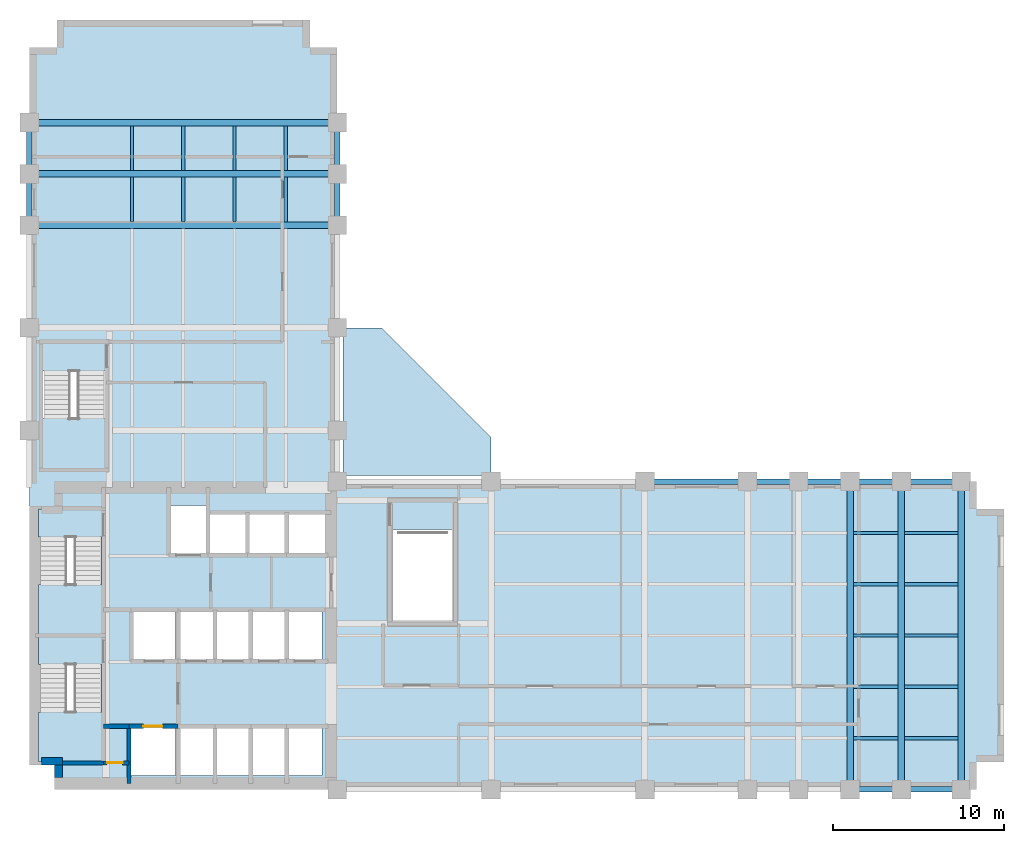
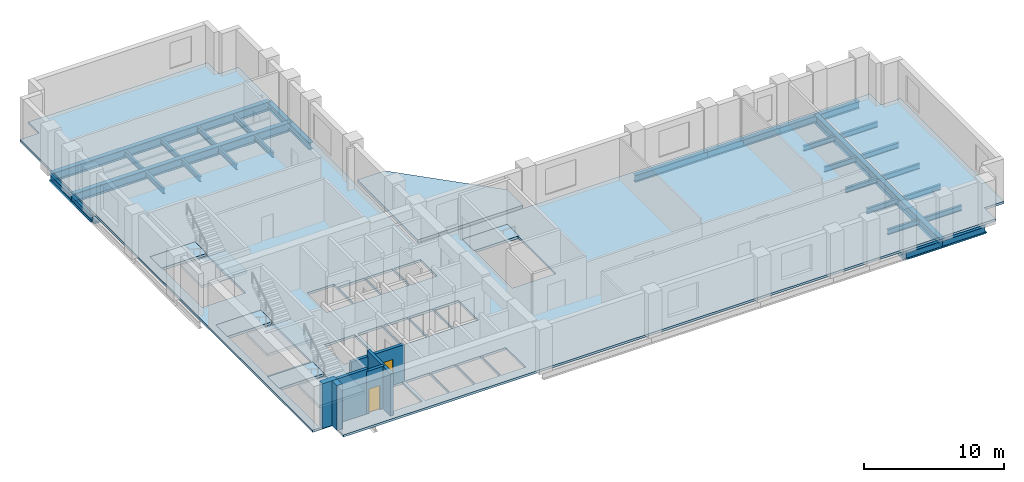
# One storey, part 2 of 7: 35 beams, 9 slabs, 7 walls, 2 doors, 2 openings, 3 elements without a shape of their own.
"""IFC4 building model written with IfcOpenShell, lengths in metres."""

from ifc_helpers import new_model, si_unit, direction, frame, frame_2d, origin, origin_2d, place, context, subcontext, project, spatial, polyline, rectangle, i_section, outline, extrude, material, layer, layer_set, material_profile, profile_set, type_object, element, fill, aggregate, save


model = new_model("IFC4")

# Units and contexts
model_context = context("Model", 3, precision=1e-05, world=origin(), true_north=direction((0.0, 1.0)))
body_context = subcontext(model_context, "Body", "Model", "MODEL_VIEW")
ifc_project = project(units=[si_unit("LENGTHUNIT", "METRE"), si_unit("AREAUNIT", "SQUARE_METRE"), si_unit("VOLUMEUNIT", "CUBIC_METRE"), si_unit("PLANEANGLEUNIT", "RADIAN"), si_unit("MASSUNIT", "GRAM", prefix="KILO")], contexts=[model_context])

# Site, building, storey
site_placement = place(None, origin())
site = spatial("IfcSite", under=ifc_project, at=site_placement, CompositionType="ELEMENT")
building_placement = place(site_placement, origin())
building = spatial("IfcBuilding", under=site, at=building_placement, Name="Mawjdan Bourse Tower", CompositionType="ELEMENT")
storey_placement = place(building_placement, frame((0.0, 0.0, 93.300048828125)))
storey = spatial("IfcBuildingStorey", under=building, at=storey_placement, Name="L21", CompositionType="ELEMENT", Elevation=93.300048828125)

# Beams
ifc_material_1 = material(Name="Structural Steel S355", Category="steel")
ifc_material_profile_1 = material_profile(ifc_material_1, i_section(OverallWidth=0.381103515625, OverallDepth=0.77294921875, WebThickness=0.0166015625, FlangeThickness=0.027099609375, FilletRadius=0.021728515625, at=origin_2d()), Name="W30X173")
ifc_profile_set_1 = profile_set([ifc_material_profile_1], Name="Structural Steel S355")
beam_type_1 = type_object("IfcBeamType", Name="GRD-W30X173", PredefinedType="BEAM", material=ifc_profile_set_1)
for number, where, z_axis, x_axis, name in (
    (1, (54.0, 3.0, -0.586669921875), (0.0, 1.0, 0.0), (-1.0, 0.0, 0.0), "L21 East Wing Clear-Span Girder 006"),
    (2, (57.0, 3.0, -0.586669921875), (0.0, 1.0, 0.0), (-1.0, 0.0, 0.0), "L21 East Wing Clear-Span Girder 007"),
    (3, (60.5, 3.0, -0.586669921875), (0.0, 1.0, 0.0), (-1.0, 0.0, 0.0), "L21 East Wing Clear-Span Girder 008"),
    (4, (6.0, 36.0, -0.586669921875), (1.0, 0.0, 0.0), (0.0, 1.0, 0.0), "L21 North Wing Clear-Span Girder 067"),
    (5, (6.0, 39.0, -0.586669921875), (1.0, 0.0, 0.0), (0.0, 1.0, 0.0), "L21 North Wing Clear-Span Girder 068"),
    (6, (6.0, 42.0, -0.586669921875), (1.0, 0.0, 0.0), (0.0, 1.0, 0.0), "L21 North Wing Clear-Span Girder 069"),
):
    element("IfcBeam", number, at=place(storey_placement, frame(where, z_axis=z_axis, x_axis=x_axis)), inside=storey, type_object=beam_type_1, Name=name, PredefinedType="BEAM", context=body_context, shape_type="SweptSolid", body=[
        extrude(i_section(OverallWidth=0.381103515625, OverallDepth=0.77294921875, WebThickness=0.0166015625, FlangeThickness=0.027099609375, FilletRadius=0.021728515625, at=origin_2d()), origin(), (0.0, 0.0, 1.0), 18.0),
    ])
ifc_material_profile_2 = material_profile(ifc_material_1, i_section(OverallWidth=0.19189453125, OverallDepth=0.462890625, WebThickness=0.010498046875, FlangeThickness=0.017578125, FilletRadius=0.01416015625, at=origin_2d()), Name="W18X60")
ifc_profile_set_2 = profile_set([ifc_material_profile_2], Name="Structural Steel S355")
beam_type_2 = type_object("IfcBeamType", Name="JST-W18X60", PredefinedType="JOIST", material=ifc_profile_set_2)
beam_1_placement = place(storey_placement, frame((54.1884765625, 6.0, -0.431640625), z_axis=(1.0, 0.0, 0.0), x_axis=(0.0, 1.0, 0.0)))
element("IfcBeam", 7, at=beam_1_placement, inside=storey, type_object=beam_type_2, Name="L21 East Wing Composite Joist 028", PredefinedType="JOIST", context=body_context, shape_type="SweptSolid", body=[
    extrude(i_section(OverallWidth=0.19189453125, OverallDepth=0.462890625, WebThickness=0.010498046875, FlangeThickness=0.017578125, FilletRadius=0.01416015625, at=origin_2d()), origin(), (0.0, 0.0, 1.0), 2.623046875),
])
beam_2_placement = place(storey_placement, frame((57.1884765625, 6.0, -0.431640625), z_axis=(1.0, 0.0, 0.0), x_axis=(0.0, 1.0, 0.0)))
element("IfcBeam", 8, at=beam_2_placement, inside=storey, type_object=beam_type_2, Name="L21 East Wing Composite Joist 029", PredefinedType="JOIST", context=body_context, shape_type="SweptSolid", body=[
    extrude(i_section(OverallWidth=0.19189453125, OverallDepth=0.462890625, WebThickness=0.010498046875, FlangeThickness=0.017578125, FilletRadius=0.01416015625, at=origin_2d()), origin(), (0.0, 0.0, 1.0), 3.123046875),
])
beam_3_placement = place(storey_placement, frame((54.1884765625, 9.0, -0.431640625), z_axis=(1.0, 0.0, 0.0), x_axis=(0.0, 1.0, 0.0)))
element("IfcBeam", 9, at=beam_3_placement, inside=storey, type_object=beam_type_2, Name="L21 East Wing Composite Joist 035", PredefinedType="JOIST", context=body_context, shape_type="SweptSolid", body=[
    extrude(i_section(OverallWidth=0.19189453125, OverallDepth=0.462890625, WebThickness=0.010498046875, FlangeThickness=0.017578125, FilletRadius=0.01416015625, at=origin_2d()), origin(), (0.0, 0.0, 1.0), 2.623046875),
])
beam_4_placement = place(storey_placement, frame((57.1884765625, 9.0, -0.431640625), z_axis=(1.0, 0.0, 0.0), x_axis=(0.0, 1.0, 0.0)))
element("IfcBeam", 10, at=beam_4_placement, inside=storey, type_object=beam_type_2, Name="L21 East Wing Composite Joist 036", PredefinedType="JOIST", context=body_context, shape_type="SweptSolid", body=[
    extrude(i_section(OverallWidth=0.19189453125, OverallDepth=0.462890625, WebThickness=0.010498046875, FlangeThickness=0.017578125, FilletRadius=0.01416015625, at=origin_2d()), origin(), (0.0, 0.0, 1.0), 3.123046875),
])
beam_5_placement = place(storey_placement, frame((54.1884765625, 12.0, -0.431640625), z_axis=(1.0, 0.0, 0.0), x_axis=(0.0, 1.0, 0.0)))
element("IfcBeam", 11, at=beam_5_placement, inside=storey, type_object=beam_type_2, Name="L21 East Wing Composite Joist 042", PredefinedType="JOIST", context=body_context, shape_type="SweptSolid", body=[
    extrude(i_section(OverallWidth=0.19189453125, OverallDepth=0.462890625, WebThickness=0.010498046875, FlangeThickness=0.017578125, FilletRadius=0.01416015625, at=origin_2d()), origin(), (0.0, 0.0, 1.0), 2.623046875),
])
beam_6_placement = place(storey_placement, frame((57.1884765625, 12.0, -0.431640625), z_axis=(1.0, 0.0, 0.0), x_axis=(0.0, 1.0, 0.0)))
element("IfcBeam", 12, at=beam_6_placement, inside=storey, type_object=beam_type_2, Name="L21 East Wing Composite Joist 043", PredefinedType="JOIST", context=body_context, shape_type="SweptSolid", body=[
    extrude(i_section(OverallWidth=0.19189453125, OverallDepth=0.462890625, WebThickness=0.010498046875, FlangeThickness=0.017578125, FilletRadius=0.01416015625, at=origin_2d()), origin(), (0.0, 0.0, 1.0), 3.123046875),
])
beam_7_placement = place(storey_placement, frame((54.1884765625, 15.0, -0.431640625), z_axis=(1.0, 0.0, 0.0), x_axis=(0.0, 1.0, 0.0)))
element("IfcBeam", 13, at=beam_7_placement, inside=storey, type_object=beam_type_2, Name="L21 East Wing Composite Joist 048", PredefinedType="JOIST", context=body_context, shape_type="SweptSolid", body=[
    extrude(i_section(OverallWidth=0.19189453125, OverallDepth=0.462890625, WebThickness=0.010498046875, FlangeThickness=0.017578125, FilletRadius=0.01416015625, at=origin_2d()), origin(), (0.0, 0.0, 1.0), 2.623046875),
])
beam_8_placement = place(storey_placement, frame((57.1884765625, 15.0, -0.431640625), z_axis=(1.0, 0.0, 0.0), x_axis=(0.0, 1.0, 0.0)))
element("IfcBeam", 14, at=beam_8_placement, inside=storey, type_object=beam_type_2, Name="L21 East Wing Composite Joist 049", PredefinedType="JOIST", context=body_context, shape_type="SweptSolid", body=[
    extrude(i_section(OverallWidth=0.19189453125, OverallDepth=0.462890625, WebThickness=0.010498046875, FlangeThickness=0.017578125, FilletRadius=0.01416015625, at=origin_2d()), origin(), (0.0, 0.0, 1.0), 3.123046875),
])
beam_9_placement = place(storey_placement, frame((54.1884765625, 18.0, -0.431640625), z_axis=(1.0, 0.0, 0.0), x_axis=(0.0, 1.0, 0.0)))
element("IfcBeam", 15, at=beam_9_placement, inside=storey, type_object=beam_type_2, Name="L21 East Wing Composite Joist 054", PredefinedType="JOIST", context=body_context, shape_type="SweptSolid", body=[
    extrude(i_section(OverallWidth=0.19189453125, OverallDepth=0.462890625, WebThickness=0.010498046875, FlangeThickness=0.017578125, FilletRadius=0.01416015625, at=origin_2d()), origin(), (0.0, 0.0, 1.0), 2.623046875),
])
beam_10_placement = place(storey_placement, frame((57.1884765625, 18.0, -0.431640625), z_axis=(1.0, 0.0, 0.0), x_axis=(0.0, 1.0, 0.0)))
element("IfcBeam", 16, at=beam_10_placement, inside=storey, type_object=beam_type_2, Name="L21 East Wing Composite Joist 055", PredefinedType="JOIST", context=body_context, shape_type="SweptSolid", body=[
    extrude(i_section(OverallWidth=0.19189453125, OverallDepth=0.462890625, WebThickness=0.010498046875, FlangeThickness=0.017578125, FilletRadius=0.01416015625, at=origin_2d()), origin(), (0.0, 0.0, 1.0), 3.123046875),
])
for number, where, z_axis, x_axis, name in (
    (17, (12.0, 36.1884765625, -0.431640625), (0.0, 1.0, 0.0), (-1.0, 0.0, 0.0), "L21 North Wing Composite Joist 083"),
    (18, (12.0, 39.1884765625, -0.431640625), (0.0, 1.0, 0.0), (-1.0, 0.0, 0.0), "L21 North Wing Composite Joist 084"),
    (19, (15.0, 36.1884765625, -0.431640625), (0.0, 1.0, 0.0), (-1.0, 0.0, 0.0), "L21 North Wing Composite Joist 088"),
    (20, (15.0, 39.1884765625, -0.431640625), (0.0, 1.0, 0.0), (-1.0, 0.0, 0.0), "L21 North Wing Composite Joist 089"),
    (21, (18.0, 36.1884765625, -0.431640625), (0.0, 1.0, 0.0), (-1.0, 0.0, 0.0), "L21 North Wing Composite Joist 093"),
    (22, (18.0, 39.1884765625, -0.431640625), (0.0, 1.0, 0.0), (-1.0, 0.0, 0.0), "L21 North Wing Composite Joist 094"),
    (23, (21.0, 36.1884765625, -0.431640625), (0.0, 1.0, 0.0), (-1.0, 0.0, 0.0), "L21 North Wing Composite Joist 098"),
    (24, (21.0, 39.1884765625, -0.431640625), (0.0, 1.0, 0.0), (-1.0, 0.0, 0.0), "L21 North Wing Composite Joist 099"),
):
    element("IfcBeam", number, at=place(storey_placement, frame(where, z_axis=z_axis, x_axis=x_axis)), inside=storey, type_object=beam_type_2, Name=name, PredefinedType="JOIST", context=body_context, shape_type="SweptSolid", body=[
        extrude(i_section(OverallWidth=0.19189453125, OverallDepth=0.462890625, WebThickness=0.010498046875, FlangeThickness=0.017578125, FilletRadius=0.01416015625, at=origin_2d()), origin(), (0.0, 0.0, 1.0), 2.623046875),
    ])
ifc_material_profile_3 = material_profile(ifc_material_1, i_section(OverallWidth=0.324951171875, OverallDepth=0.616943359375, WebThickness=0.013916015625, FlangeThickness=0.021484375, FilletRadius=0.017333984375, at=origin_2d()), Name="W24X117")
ifc_profile_set_3 = profile_set([ifc_material_profile_3], Name="Structural Steel S355")
beam_type_3 = type_object("IfcBeamType", Name="SPN-W24X117", PredefinedType="SPANDREL", material=ifc_profile_set_3)
beam_11_placement = place(storey_placement, frame((54.0, 3.0, -0.568603515625), z_axis=(1.0, 0.0, 0.0), x_axis=(0.0, 1.0, 0.0)))
element("IfcBeam", 25, at=beam_11_placement, inside=storey, type_object=beam_type_3, Name="L21 Perimeter Masonry-Shelf Spandrel 014", PredefinedType="SPANDREL", context=body_context, shape_type="SweptSolid", body=[
    extrude(i_section(OverallWidth=0.324951171875, OverallDepth=0.616943359375, WebThickness=0.013916015625, FlangeThickness=0.021484375, FilletRadius=0.017333984375, at=origin_2d()), origin(), (0.0, 0.0, 1.0), 3.0),
])
beam_12_placement = place(storey_placement, frame((57.0, 3.0, -0.568603515625), z_axis=(1.0, 0.0, 0.0), x_axis=(0.0, 1.0, 0.0)))
element("IfcBeam", 26, at=beam_12_placement, inside=storey, type_object=beam_type_3, Name="L21 Perimeter Masonry-Shelf Spandrel 015", PredefinedType="SPANDREL", context=body_context, shape_type="SweptSolid", body=[
    extrude(i_section(OverallWidth=0.324951171875, OverallDepth=0.616943359375, WebThickness=0.013916015625, FlangeThickness=0.021484375, FilletRadius=0.017333984375, at=origin_2d()), origin(), (0.0, 0.0, 1.0), 3.5),
])
beam_13_placement = place(storey_placement, frame((42.0, 21.0, -0.568603515625), z_axis=(1.0, 0.0, 0.0), x_axis=(0.0, 1.0, 0.0)))
element("IfcBeam", 27, at=beam_13_placement, inside=storey, type_object=beam_type_3, Name="L21 Perimeter Masonry-Shelf Spandrel 018", PredefinedType="SPANDREL", context=body_context, shape_type="SweptSolid", body=[
    extrude(i_section(OverallWidth=0.324951171875, OverallDepth=0.616943359375, WebThickness=0.013916015625, FlangeThickness=0.021484375, FilletRadius=0.017333984375, at=origin_2d()), origin(), (0.0, 0.0, 1.0), 6.0),
])
for number, where, z_axis, x_axis, name in (
    (28, (48.0, 21.0, -0.568603515625), (1.0, 0.0, 0.0), (0.0, 1.0, 0.0), "L21 Perimeter Masonry-Shelf Spandrel 019"),
    (29, (51.0, 21.0, -0.568603515625), (1.0, 0.0, 0.0), (0.0, 1.0, 0.0), "L21 Perimeter Masonry-Shelf Spandrel 020"),
    (30, (54.0, 21.0, -0.568603515625), (1.0, 0.0, 0.0), (0.0, 1.0, 0.0), "L21 Perimeter Masonry-Shelf Spandrel 021"),
):
    element("IfcBeam", number, at=place(storey_placement, frame(where, z_axis=z_axis, x_axis=x_axis)), inside=storey, type_object=beam_type_3, Name=name, PredefinedType="SPANDREL", context=body_context, shape_type="SweptSolid", body=[
        extrude(i_section(OverallWidth=0.324951171875, OverallDepth=0.616943359375, WebThickness=0.013916015625, FlangeThickness=0.021484375, FilletRadius=0.017333984375, at=origin_2d()), origin(), (0.0, 0.0, 1.0), 3.0),
    ])
beam_14_placement = place(storey_placement, frame((57.0, 21.0, -0.568603515625), z_axis=(1.0, 0.0, 0.0), x_axis=(0.0, 1.0, 0.0)))
element("IfcBeam", 31, at=beam_14_placement, inside=storey, type_object=beam_type_3, Name="L21 Perimeter Masonry-Shelf Spandrel 022", PredefinedType="SPANDREL", context=body_context, shape_type="SweptSolid", body=[
    extrude(i_section(OverallWidth=0.324951171875, OverallDepth=0.616943359375, WebThickness=0.013916015625, FlangeThickness=0.021484375, FilletRadius=0.017333984375, at=origin_2d()), origin(), (0.0, 0.0, 1.0), 3.5),
])
for number, where, z_axis, x_axis, name in (
    (32, (6.0, 36.0, -0.568603515625), (0.0, 1.0, 0.0), (-1.0, 0.0, 0.0), "L21 North Wing Spandrel 073"),
    (33, (6.0, 39.0, -0.568603515625), (0.0, 1.0, 0.0), (-1.0, 0.0, 0.0), "L21 North Wing Spandrel 074"),
    (34, (24.0, 36.0, -0.568603515625), (0.0, 1.0, 0.0), (-1.0, 0.0, 0.0), "L21 North Wing Spandrel 078"),
    (35, (24.0, 39.0, -0.568603515625), (0.0, 1.0, 0.0), (-1.0, 0.0, 0.0), "L21 North Wing Spandrel 079"),
):
    element("IfcBeam", number, at=place(storey_placement, frame(where, z_axis=z_axis, x_axis=x_axis)), inside=storey, type_object=beam_type_3, Name=name, PredefinedType="SPANDREL", context=body_context, shape_type="SweptSolid", body=[
        extrude(i_section(OverallWidth=0.324951171875, OverallDepth=0.616943359375, WebThickness=0.013916015625, FlangeThickness=0.021484375, FilletRadius=0.017333984375, at=origin_2d()), origin(), (0.0, 0.0, 1.0), 3.0),
    ])

# Stair, slabs
ifc_material_2 = material(Name="Concrete C50/60", Category="concrete")
stair_type = type_object("IfcStairType", Name="STR-CORE-1500", PredefinedType="HALF_TURN_STAIR", material=ifc_material_2)
stair_1_placement = place(storey_placement, origin())
stair_1 = element("IfcStair", 36, at=stair_1_placement, inside=storey, type_object=stair_type, Name="L21 Exit Stair 1 (Core South-West)", PredefinedType="HALF_TURN_STAIR")
ifc_layer_1 = layer(ifc_material_2, 0.22998046875)
ifc_layer_set_1 = layer_set([ifc_layer_1], Name="Concrete C50/60")
slab_type_1 = type_object("IfcSlabType", Name="SL-LND-230", PredefinedType="LANDING", material=ifc_layer_set_1)
slab_1_placement = place(storey_placement, frame((0.0, 0.0, -0.22998046875)))
slab_1 = element("IfcSlab", 37, at=slab_1_placement, type_object=slab_type_1, Name="ST1-L21 landing 1", PredefinedType="LANDING", context=body_context, shape_type="SweptSolid", body=[
    extrude(outline(polyline([(6.5400390625, 10.31005859375), (10.260009765625, 10.31005859375), (10.260009765625, 11.969970703125), (6.5400390625, 11.969970703125), (6.5400390625, 10.31005859375)])), origin(), (0.0, 0.0, 1.0), 0.22998046875),
])
slab_2_placement = place(storey_placement, frame((0.0, 0.0, 1.719970703125)))
slab_2 = element("IfcSlab", 38, at=slab_2_placement, type_object=slab_type_1, Name="ST1-L21 landing 2", PredefinedType="LANDING", context=body_context, shape_type="SweptSolid", body=[
    extrude(outline(polyline([(6.5400390625, 4.590087890625), (10.260009765625, 4.590087890625), (10.260009765625, 7.5400390625), (6.5400390625, 7.5400390625), (6.5400390625, 4.590087890625)])), origin(), (0.0, 0.0, 1.0), 0.22998046875),
])
aggregate(stair_1, [slab_1, slab_2])

stair_2_placement = place(storey_placement, origin())
stair_2 = element("IfcStair", 39, at=stair_2_placement, inside=storey, type_object=stair_type, Name="L21 Exit Stair 2 (Core North-West)", PredefinedType="HALF_TURN_STAIR")
slab_3_placement = place(storey_placement, frame((0.0, 0.0, -0.22998046875)))
slab_3 = element("IfcSlab", 40, at=slab_3_placement, type_object=slab_type_1, Name="ST2-L21 landing 1", PredefinedType="LANDING", context=body_context, shape_type="SweptSolid", body=[
    extrude(outline(polyline([(6.5400390625, 17.75), (10.260009765625, 17.75), (10.260009765625, 19.409912109375), (6.5400390625, 19.409912109375), (6.5400390625, 17.75)])), origin(), (0.0, 0.0, 1.0), 0.22998046875),
])
slab_4_placement = place(storey_placement, frame((0.0, 0.0, 1.719970703125)))
slab_4 = element("IfcSlab", 41, at=slab_4_placement, type_object=slab_type_1, Name="ST2-L21 landing 2", PredefinedType="LANDING", context=body_context, shape_type="SweptSolid", body=[
    extrude(outline(polyline([(6.5400390625, 12.030029296875), (10.260009765625, 12.030029296875), (10.260009765625, 14.97998046875), (6.5400390625, 14.97998046875), (6.5400390625, 12.030029296875)])), origin(), (0.0, 0.0, 1.0), 0.22998046875),
])
aggregate(stair_2, [slab_3, slab_4])

stair_3_placement = place(storey_placement, origin())
stair_3 = element("IfcStair", 42, at=stair_3_placement, inside=storey, type_object=stair_type, Name="L21 Exit Stair 3 (North Wing)", PredefinedType="HALF_TURN_STAIR")
slab_5_placement = place(storey_placement, frame((0.0, 0.0, -0.22998046875)))
slab_5 = element("IfcSlab", 43, at=slab_5_placement, type_object=slab_type_1, Name="ST3-L21 landing 1", PredefinedType="LANDING", context=body_context, shape_type="SweptSolid", body=[
    extrude(outline(polyline([(6.739990234375, 27.4599609375), (10.4599609375, 27.4599609375), (10.4599609375, 29.1201171875), (6.739990234375, 29.1201171875), (6.739990234375, 27.4599609375)])), origin(), (0.0, 0.0, 1.0), 0.22998046875),
])
slab_6_placement = place(storey_placement, frame((0.0, 0.0, 1.719970703125)))
slab_6 = element("IfcSlab", 44, at=slab_6_placement, type_object=slab_type_1, Name="ST3-L21 landing 2", PredefinedType="LANDING", context=body_context, shape_type="SweptSolid", body=[
    extrude(outline(polyline([(6.739990234375, 21.739990234375), (10.4599609375, 21.739990234375), (10.4599609375, 24.68994140625), (6.739990234375, 24.68994140625), (6.739990234375, 21.739990234375)])), origin(), (0.0, 0.0, 1.0), 0.22998046875),
])
aggregate(stair_3, [slab_5, slab_6])

# Slabs
slab_7_placement = place(storey_placement, frame((0.0, 0.0, -0.22998046875)))
element("IfcSlab", 45, at=slab_7_placement, inside=storey, type_object=slab_type_1, Name="L21 ST5A Top Arrival Landing", PredefinedType="LANDING", context=body_context, shape_type="SweptSolid", body=[
    extrude(outline(polyline([(27.139892578125, 18.199951171875), (30.860107421875, 18.199951171875), (30.860107421875, 19.860107421875), (27.139892578125, 19.860107421875), (27.139892578125, 18.199951171875)])), origin(), (0.0, 0.0, 1.0), 0.22998046875),
])
ifc_layer_2 = layer(ifc_material_2, 0.199951171875)
ifc_layer_set_2 = layer_set([ifc_layer_2], Name="Concrete C50/60")
slab_type_2 = type_object("IfcSlabType", Name="SL-OFC-200", PredefinedType="FLOOR", material=ifc_layer_set_2)
slab_8_placement = place(storey_placement, frame((0.0, 0.0, -0.199951171875)))
element("IfcSlab", 46, at=slab_8_placement, inside=storey, type_object=slab_type_2, Name="L21 Structural Floor Slab 1", PredefinedType="FLOOR", context=body_context, shape_type="SweptSolid", body=[
    extrude(outline(polyline([(7.60009765625, 3.0), (61.39990234375, 3.0), (61.39990234375, 4.60009765625), (63.0, 4.60009765625), (63.0, 19.39990234375), (61.39990234375, 19.39990234375), (61.39990234375, 21.0), (24.0, 21.0), (24.0, 46.39990234375), (22.39990234375, 46.39990234375), (22.39990234375, 48.0), (7.60009765625, 48.0), (7.60009765625, 46.39990234375), (6.0, 46.39990234375), (6.0, 4.60009765625), (7.60009765625, 4.60009765625), (7.60009765625, 3.0)]), holes=[polyline([(11.949951171875, 3.800048828125), (11.949951171875, 6.60009765625), (14.550048828125, 6.60009765625), (14.550048828125, 3.800048828125), (11.949951171875, 3.800048828125)]), polyline([(14.800048828125, 3.800048828125), (14.800048828125, 6.60009765625), (16.800048828125, 6.60009765625), (16.800048828125, 3.800048828125), (14.800048828125, 3.800048828125)]), polyline([(10.260009765625, 11.969970703125), (10.260009765625, 10.31005859375), (10.199951171875, 10.31005859375), (10.199951171875, 4.64990234375), (6.60009765625, 4.64990234375), (6.60009765625, 10.31005859375), (6.5400390625, 10.31005859375), (6.5400390625, 11.969970703125), (10.260009765625, 11.969970703125)]), polyline([(12.050048828125, 13.39990234375), (14.550048828125, 13.39990234375), (14.550048828125, 10.60009765625), (12.050048828125, 10.60009765625), (12.050048828125, 13.39990234375)]), polyline([(14.800048828125, 10.60009765625), (14.800048828125, 13.39990234375), (16.800048828125, 13.39990234375), (16.800048828125, 10.60009765625), (14.800048828125, 10.60009765625)]), polyline([(6.60009765625, 17.75), (6.5400390625, 17.75), (6.5400390625, 19.409912109375), (10.260009765625, 19.409912109375), (10.260009765625, 17.75), (10.199951171875, 17.75), (10.199951171875, 12.090087890625), (6.60009765625, 12.090087890625), (6.60009765625, 17.75)]), polyline([(14.199951171875, 19.60009765625), (16.39990234375, 19.60009765625), (16.39990234375, 16.800048828125), (14.199951171875, 16.800048828125), (14.199951171875, 19.60009765625)]), polyline([(10.4599609375, 27.4599609375), (10.39990234375, 27.4599609375), (10.39990234375, 21.800048828125), (6.800048828125, 21.800048828125), (6.800048828125, 27.4599609375), (6.739990234375, 27.4599609375), (6.739990234375, 29.1201171875), (10.4599609375, 29.1201171875), (10.4599609375, 27.4599609375)]), polyline([(16.89990234375, 3.800048828125), (16.89990234375, 6.60009765625), (18.89990234375, 6.60009765625), (18.89990234375, 3.800048828125), (16.89990234375, 3.800048828125)]), polyline([(19.0, 3.800048828125), (19.0, 6.60009765625), (21.0, 6.60009765625), (21.0, 3.800048828125), (19.0, 3.800048828125)]), polyline([(21.10009765625, 3.800048828125), (21.10009765625, 6.60009765625), (23.10009765625, 6.60009765625), (23.10009765625, 3.800048828125), (21.10009765625, 3.800048828125)]), polyline([(16.89990234375, 13.39990234375), (18.89990234375, 13.39990234375), (18.89990234375, 10.60009765625), (16.89990234375, 10.60009765625), (16.89990234375, 13.39990234375)]), polyline([(19.0, 13.39990234375), (21.0, 13.39990234375), (21.0, 10.60009765625), (19.0, 10.60009765625), (19.0, 13.39990234375)]), polyline([(21.10009765625, 10.60009765625), (21.10009765625, 13.39990234375), (23.10009765625, 13.39990234375), (23.10009765625, 10.60009765625), (21.10009765625, 10.60009765625)]), polyline([(27.199951171875, 18.199951171875), (27.139892578125, 18.199951171875), (27.139892578125, 19.860107421875), (30.860107421875, 19.860107421875), (30.860107421875, 18.199951171875), (30.800048828125, 18.199951171875), (30.800048828125, 12.800048828125), (27.199951171875, 12.800048828125), (27.199951171875, 18.199951171875)]), polyline([(16.5, 19.14990234375), (18.699951171875, 19.14990234375), (18.699951171875, 16.800048828125), (16.5, 16.800048828125), (16.5, 19.14990234375)]), polyline([(18.800048828125, 16.800048828125), (18.800048828125, 19.14990234375), (21.0, 19.14990234375), (21.0, 16.800048828125), (18.800048828125, 16.800048828125)]), polyline([(21.10009765625, 19.14990234375), (23.300048828125, 19.14990234375), (23.300048828125, 16.800048828125), (21.10009765625, 16.800048828125), (21.10009765625, 19.14990234375)])]), origin(), (0.0, 0.0, 1.0), 0.199951171875),
])
ifc_layer_3 = layer(ifc_material_2, 0.260009765625)
ifc_layer_set_3 = layer_set([ifc_layer_3], Name="Concrete C50/60")
slab_type_3 = type_object("IfcSlabType", Name="SL-ROOF-260", PredefinedType="ROOF", material=ifc_layer_set_3)
slab_9_placement = place(storey_placement, frame((0.0, 0.0, -0.260009765625)))
element("IfcSlab", 47, at=slab_9_placement, inside=storey, type_object=slab_type_3, Name="L21 Setback Weather Roof 1", PredefinedType="ROOF", context=body_context, shape_type="SweptSolid", body=[
    extrude(outline(polyline([(26.60595703125, 29.994140625), (26.6044921875, 29.99560546875), (26.602783203125, 29.99658203125), (26.60107421875, 29.99755859375), (26.599365234375, 29.99853515625), (26.597412109375, 29.9990234375), (26.595703125, 29.99951171875), (26.59375, 30.0), (26.591796875, 30.0), (24.3701171875, 30.0), (24.367919921875, 30.0), (24.3662109375, 29.99951171875), (24.3642578125, 29.9990234375), (24.3623046875, 29.99853515625), (24.360595703125, 29.99755859375), (24.35888671875, 29.99658203125), (24.357421875, 29.99560546875), (24.35595703125, 29.994140625), (24.3544921875, 29.99267578125), (24.353515625, 29.9912109375), (24.352294921875, 29.989501953125), (24.3515625, 29.98779296875), (24.350830078125, 29.98583984375), (24.350341796875, 29.98388671875), (24.35009765625, 29.98193359375), (24.35009765625, 29.97998046875), (24.35009765625, 21.3701171875), (24.35009765625, 21.367919921875), (24.350341796875, 21.3662109375), (24.350830078125, 21.3642578125), (24.3515625, 21.3623046875), (24.352294921875, 21.360595703125), (24.353515625, 21.35888671875), (24.3544921875, 21.357421875), (24.35595703125, 21.35595703125), (24.357421875, 21.3544921875), (24.35888671875, 21.353515625), (24.360595703125, 21.352294921875), (24.3623046875, 21.3515625), (24.3642578125, 21.350830078125), (24.3662109375, 21.350341796875), (24.367919921875, 21.35009765625), (24.3701171875, 21.35009765625), (32.97998046875, 21.35009765625), (32.98193359375, 21.35009765625), (32.98388671875, 21.350341796875), (32.98583984375, 21.350830078125), (32.98779296875, 21.3515625), (32.989501953125, 21.352294921875), (32.9912109375, 21.353515625), (32.99267578125, 21.3544921875), (32.994140625, 21.35595703125), (32.99560546875, 21.357421875), (32.99658203125, 21.35888671875), (32.99755859375, 21.360595703125), (32.99853515625, 21.3623046875), (32.9990234375, 21.3642578125), (32.99951171875, 21.3662109375), (33.0, 21.367919921875), (33.0, 21.3701171875), (33.0, 23.591796875), (33.0, 23.59375), (32.99951171875, 23.595703125), (32.9990234375, 23.597412109375), (32.99853515625, 23.599365234375), (32.99755859375, 23.60107421875), (32.99658203125, 23.602783203125), (32.99560546875, 23.6044921875), (32.994140625, 23.60595703125), (26.60595703125, 29.994140625)])), origin(), (0.0, 0.0, 1.0), 0.260009765625),
])

# Walls
ifc_material_3 = material(Name="Concrete C60/75", Category="concrete")
ifc_layer_4 = layer(ifc_material_3, 0.449951171875)
ifc_layer_set_4 = layer_set([ifc_layer_4], Name="Concrete C60/75")
wall_type_1 = type_object("IfcWallType", Name="WL-CORE-450", PredefinedType="SHEAR", material=ifc_layer_set_4)
wall_1_placement = place(storey_placement, frame((6.699951171875, 4.64990234375, 0.0), z_axis=(0.0, 0.0, 1.0), x_axis=(1.0, 0.0, 0.0)))
element("IfcWall", 48, at=wall_1_placement, inside=storey, type_object=wall_type_1, Name="L21 Rear Core Shear Wall SW-X", PredefinedType="SHEAR", context=body_context, shape_type="SweptSolid", body=[
    extrude(rectangle(XDim=1.22509765625, YDim=0.449951171875, at=frame_2d((0.612548828125, 0.0))), origin(), (0.0, 0.0, 1.0), 3.89990234375),
])
wall_2_placement = place(storey_placement, frame((7.699951171875, 3.699951171875, 0.0), z_axis=(0.0, 0.0, 1.0), x_axis=(0.0, 1.0, 0.0)))
element("IfcWall", 49, at=wall_2_placement, inside=storey, type_object=wall_type_1, Name="L21 Rear Core Shear Wall SW-Y", PredefinedType="SHEAR", context=body_context, shape_type="SweptSolid", body=[
    extrude(rectangle(XDim=0.72509765625, YDim=0.449951171875, at=frame_2d((0.362548828125, 0.0))), origin(), (0.0, 0.0, 1.0), 3.89990234375),
])

# Wall, opening, door
ifc_layer_5 = layer(ifc_material_2, 0.25)
ifc_layer_set_5 = layer_set([ifc_layer_5], Name="Concrete C50/60")
wall_type_2 = type_object("IfcWallType", Name="WL-SHFT-250", PredefinedType="PARTITIONING", material=ifc_layer_set_5)
wall_3_placement = place(storey_placement, frame((10.330078125, 4.550048828125, 0.0), z_axis=(0.0, 0.0, 1.0), x_axis=(1.0, 0.0, 0.0)))
wall_3 = element("IfcWall", 50, at=wall_3_placement, inside=storey, type_object=wall_type_2, Name="L21 SW Riser North Wall", PredefinedType="PARTITIONING", context=body_context, shape_type="SweptSolid", body=[
    extrude(rectangle(XDim=1.489990234375, YDim=0.25, at=frame_2d((0.7451171875, 0.0))), origin(), (0.0, 0.0, 1.0), 3.68994140625),
])
opening_1_placement = place(wall_3_placement, frame((0.219970703125, 0.0, 0.0)))
opening_1 = element("IfcOpeningElement", 51, at=opening_1_placement, cuts=wall_3, Name="Opening RD-L21-03", PredefinedType="OPENING", context=body_context, shape_type="SweptSolid", body=[
    extrude(rectangle(XDim=0.89990234375, YDim=2.10009765625, at=frame_2d((0.449951171875, 1.050048828125))), frame((0.0, 0.135009765625, 0.0), z_axis=(0.0, -1.0, 0.0), x_axis=(1.0, 0.0, 0.0)), (0.0, 0.0, 1.0), 0.27001953125),
])
ifc_material_4 = material(Name="Fire-Rated Steel Access Leaf", Category="steel")
door_type_1 = type_object("IfcDoorType", Name="FD-RSR-0900", OperationType="NOTDEFINED", PredefinedType="TRAPDOOR", material=ifc_material_4)
door_1_placement = place(opening_1_placement, origin())
door_1 = element("IfcDoor", 52, at=door_1_placement, inside=storey, type_object=door_type_1, Name="L21 Electrical Riser Access Door RD-L21-03", OperationType="SINGLE_SWING_RIGHT", OverallHeight=2.10009765625, OverallWidth=0.89990234375, PredefinedType="TRAPDOOR", context=body_context, shape_type="SweptSolid", body=[
    extrude(rectangle(XDim=0.89990234375, YDim=2.10009765625, at=frame_2d((0.449951171875, 1.050048828125))), frame((0.0, 0.02490234375, 0.0), z_axis=(0.0, -1.0, 0.0), x_axis=(1.0, 0.0, 0.0)), (0.0, 0.0, 1.0), 0.050048828125),
])
fill(opening_1, door_1)

# Wall
wall_4_placement = place(storey_placement, frame((11.820068359375, 3.35009765625, 0.0), z_axis=(0.0, 0.0, 1.0), x_axis=(0.0, 1.0, 0.0)))
element("IfcWall", 53, at=wall_4_placement, inside=storey, type_object=wall_type_2, Name="L21 SW Riser & FFL01 West Wall", PredefinedType="PARTITIONING", context=body_context, shape_type="SweptSolid", body=[
    extrude(rectangle(XDim=3.349853515625, YDim=0.25, at=frame_2d((1.6748046875, 0.0))), origin(), (0.0, 0.0, 1.0), 3.68994140625),
])

# Wall, opening, door
wall_5_placement = place(storey_placement, frame((11.820068359375, 6.699951171875, 0.0), z_axis=(0.0, 0.0, 1.0), x_axis=(1.0, 0.0, 0.0)))
wall_5 = element("IfcWall", 54, at=wall_5_placement, inside=storey, type_object=wall_type_2, Name="L21 FFL-01 Front Shaft Wall", PredefinedType="PARTITIONING", context=body_context, shape_type="SweptSolid", body=[
    extrude(rectangle(XDim=2.8798828125, YDim=0.25, at=frame_2d((1.43994140625, 0.0))), origin(), (0.0, 0.0, 1.0), 3.22705078125),
])
opening_2_placement = place(wall_5_placement, frame((0.85009765625, 0.0, 0.0)))
opening_2 = element("IfcOpeningElement", 55, at=opening_2_placement, cuts=wall_5, Name="Opening LD-L21-05", PredefinedType="OPENING", context=body_context, shape_type="SweptSolid", body=[
    extrude(rectangle(XDim=1.10009765625, YDim=2.25, at=frame_2d((0.550048828125, 1.125))), frame((0.0, 0.135009765625, 0.0), z_axis=(0.0, -1.0, 0.0), x_axis=(1.0, 0.0, 0.0)), (0.0, 0.0, 1.0), 0.27001953125),
])
ifc_material_5 = material(Name="Brushed Stainless Steel", Category="steel")
door_type_2 = type_object("IfcDoorType", Name="LD-FFL-1100", OperationType="DOUBLE_DOOR_SLIDING", PredefinedType="DOOR", material=ifc_material_5)
door_2_placement = place(opening_2_placement, origin())
door_2 = element("IfcDoor", 56, at=door_2_placement, inside=storey, type_object=door_type_2, Name="L21 Firefighting Lift FFL-01 Landing Door LD-L21-05", OperationType="DOUBLE_DOOR_SLIDING", OverallHeight=2.25, OverallWidth=1.10009765625, PredefinedType="DOOR", context=body_context, shape_type="SweptSolid", body=[
    extrude(rectangle(XDim=1.10009765625, YDim=2.25, at=frame_2d((0.550048828125, 1.125))), frame((0.0, 0.02490234375, 0.0), z_axis=(0.0, -1.0, 0.0), x_axis=(1.0, 0.0, 0.0)), (0.0, 0.0, 1.0), 0.050048828125),
])
fill(opening_2, door_2)

# Walls
wall_6_placement = place(storey_placement, frame((10.330078125, 6.699951171875, 0.0), z_axis=(0.0, 0.0, 1.0), x_axis=(1.0, 0.0, 0.0)))
element("IfcWall", 57, at=wall_6_placement, inside=storey, type_object=wall_type_2, Name="L21 Firefighting Lobby South Closure Wall", PredefinedType="PARTITIONING", context=body_context, shape_type="SweptSolid", body=[
    extrude(rectangle(XDim=1.489990234375, YDim=0.25, at=frame_2d((0.7451171875, 0.0))), origin(), (0.0, 0.0, 1.0), 3.22705078125),
])
ifc_layer_6 = layer(ifc_material_2, 0.25)
ifc_layer_set_6 = layer_set([ifc_layer_6], Name="Concrete C50/60")
wall_type_3 = type_object("IfcWallType", Name="WL-STRW-250", PredefinedType="SHEAR", material=ifc_layer_set_6)
wall_7_placement = place(storey_placement, frame((7.699951171875, 4.550048828125, 0.0), z_axis=(0.0, 0.0, 1.0), x_axis=(1.0, 0.0, 0.0)))
element("IfcWall", 58, at=wall_7_placement, inside=storey, type_object=wall_type_3, Name="L21 Stairwell ST1 South Shaft Wall", PredefinedType="SHEAR", context=body_context, shape_type="SweptSolid", body=[
    extrude(rectangle(XDim=2.755126953125, YDim=0.25, at=frame_2d((1.37744140625, 0.0))), origin(), (0.0, 0.0, 1.0), 3.89990234375),
])

save(model, "model.ifc")
